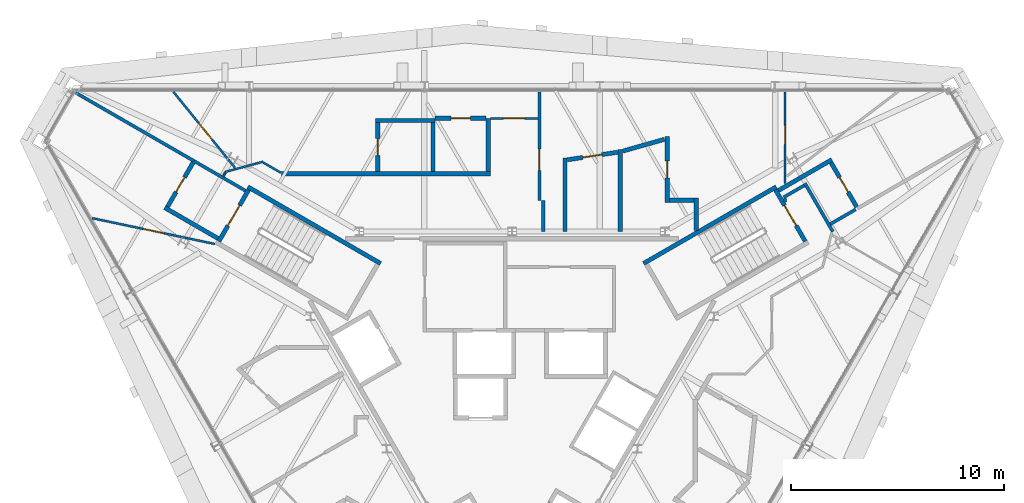
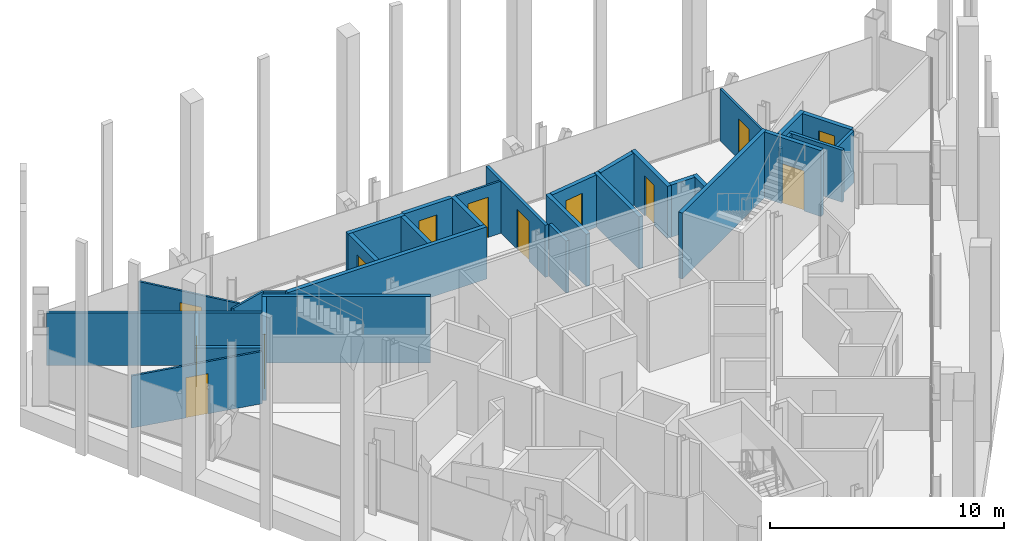
# One storey, part 10 of 13: 36 walls, 13 doors, 13 openings.
"""IFC4 building model written with IfcOpenShell, lengths in metres."""

from ifc_helpers import new_model, si_unit, direction, frame, frame_2d, origin, place, context, subcontext, project, spatial, rectangle, extrude, material, layer, layer_set, type_object, element, fill, save


model = new_model("IFC4")

# Units and contexts
model_context = context("Model", 3, precision=1e-05, world=origin(), true_north=direction((0.0, 1.0)))
body_context = subcontext(model_context, "Body", "Model", "MODEL_VIEW")
ifc_project = project(units=[si_unit("LENGTHUNIT", "METRE"), si_unit("AREAUNIT", "SQUARE_METRE"), si_unit("VOLUMEUNIT", "CUBIC_METRE"), si_unit("PLANEANGLEUNIT", "RADIAN"), si_unit("MASSUNIT", "GRAM", prefix="KILO")], contexts=[model_context])

# Site, building, storey
site_placement = place(None, origin())
site = spatial("IfcSite", under=ifc_project, at=site_placement, CompositionType="ELEMENT")
building_placement = place(site_placement, origin())
building = spatial("IfcBuilding", under=site, at=building_placement, Name="Verrane Prism Tower", CompositionType="ELEMENT")
storey_placement = place(building_placement, frame((0.0, 0.0, 286.199951171875)))
storey = spatial("IfcBuildingStorey", under=building, at=storey_placement, Name="L72", CompositionType="ELEMENT", Elevation=286.199951171875)

# Wall, opening, door
ifc_material_1 = material(Name="Concrete C40/50", Category="concrete")
ifc_layer_1 = layer(ifc_material_1, 0.199951171875)
ifc_layer_set_1 = layer_set([ifc_layer_1], Name="CW-200 stair core wall concrete C40/50 3 h")
wall_type_1 = type_object("IfcWallType", Name="CW-200 stair core wall concrete C40/50 3 h", PredefinedType="PARTITIONING", material=ifc_layer_set_1)
wall_1_placement = place(storey_placement, frame((13.777099609375, 6.337646484375, 0.0), z_axis=(0.0, 0.0, 1.0), x_axis=(-0.500049511043, 0.865996816683, 0.0)))
wall_1 = element("IfcWall", 1, at=wall_1_placement, inside=storey, type_object=wall_type_1, Name="Stair 1 enclosure wall", PredefinedType="PARTITIONING", context=body_context, shape_type="SweptSolid", body=[
    extrude(rectangle(XDim=2.800048828125, YDim=0.199951171875, at=frame_2d((1.39990234375, 0.0))), origin(), (0.0, 0.0, 1.0), 3.449951171875),
])
opening_1_placement = place(wall_1_placement, frame((0.849853515625, 0.0, 0.0)))
opening_1 = element("IfcOpeningElement", 2, at=opening_1_placement, cuts=wall_1, Name="Opening D72500", PredefinedType="OPENING", context=body_context, shape_type="SweptSolid", body=[
    extrude(rectangle(XDim=1.10009765625, YDim=2.10009765625, at=frame_2d((0.550048828125, 1.050048828125))), frame((0.0, 0.10986328125, 0.0), z_axis=(0.0, -1.0, 0.0), x_axis=(1.0, 0.0, 0.0)), (0.0, 0.0, 1.0), 0.219970703125),
])
ifc_material_2 = material(Name="Timber veneered door leaf", Category="wood")
door_type_1 = type_object("IfcDoorType", Name="DR-1100x2100 FD90 single leaf stair", OperationType="NOTDEFINED", PredefinedType="DOOR", material=ifc_material_2)
door_1_placement = place(opening_1_placement, origin())
door_1 = element("IfcDoor", 3, at=door_1_placement, inside=storey, type_object=door_type_1, Name="Stair 1 door", OperationType="SINGLE_SWING_LEFT", OverallHeight=2.10009765625, OverallWidth=1.10009765625, PredefinedType="DOOR", context=body_context, shape_type="SweptSolid", body=[
    extrude(rectangle(XDim=1.10009765625, YDim=2.10009765625, at=frame_2d((0.550048828125, 1.050048828125))), frame((0.0, 0.02490234375, 0.0), z_axis=(0.0, -1.0, 0.0), x_axis=(1.0, 0.0, 0.0)), (0.0, 0.0, 1.0), 0.050048828125),
])
fill(opening_1, door_1)

# Wall
wall_2_placement = place(storey_placement, frame((6.17822265625, 5.299072265625, 0.0), z_axis=(0.0, 0.0, 1.0), x_axis=(0.866033125095, 0.499986626058, 0.0)))
element("IfcWall", 4, at=wall_2_placement, inside=storey, type_object=wall_type_1, Name="Stair 1 enclosure wall", PredefinedType="PARTITIONING", context=body_context, shape_type="SweptSolid", body=[
    extrude(rectangle(XDim=7.199951171875, YDim=0.199951171875, at=frame_2d((3.60009765625, 0.0))), origin(), (0.0, 0.0, 1.0), 3.449951171875),
])

# Wall, opening, door
wall_3_placement = place(storey_placement, frame((-12.376953125, 8.762451171875, 0.0), z_axis=(0.0, 0.0, 1.0), x_axis=(-0.500049511043, -0.865996816683, 0.0)))
wall_3 = element("IfcWall", 5, at=wall_3_placement, inside=storey, type_object=wall_type_1, Name="Stair 2 enclosure wall", PredefinedType="PARTITIONING", context=body_context, shape_type="SweptSolid", body=[
    extrude(rectangle(XDim=2.800048828125, YDim=0.199951171875, at=frame_2d((1.39990234375, 0.0))), origin(), (0.0, 0.0, 1.0), 3.449951171875),
])
opening_2_placement = place(wall_3_placement, frame((0.849853515625, 0.0, 0.0)))
opening_2 = element("IfcOpeningElement", 6, at=opening_2_placement, cuts=wall_3, Name="Opening D72501", PredefinedType="OPENING", context=body_context, shape_type="SweptSolid", body=[
    extrude(rectangle(XDim=1.10009765625, YDim=2.10009765625, at=frame_2d((0.550048828125, 1.050048828125))), frame((0.0, 0.10986328125, 0.0), z_axis=(0.0, -1.0, 0.0), x_axis=(1.0, 0.0, 0.0)), (0.0, 0.0, 1.0), 0.219970703125),
])
door_2_placement = place(opening_2_placement, origin())
door_2 = element("IfcDoor", 7, at=door_2_placement, inside=storey, type_object=door_type_1, Name="Stair 2 door", OperationType="SINGLE_SWING_RIGHT", OverallHeight=2.10009765625, OverallWidth=1.10009765625, PredefinedType="DOOR", context=body_context, shape_type="SweptSolid", body=[
    extrude(rectangle(XDim=1.10009765625, YDim=2.10009765625, at=frame_2d((0.550048828125, 1.050048828125))), frame((0.0, 0.02490234375, 0.0), z_axis=(0.0, -1.0, 0.0), x_axis=(1.0, 0.0, 0.0)), (0.0, 0.0, 1.0), 0.050048828125),
])
fill(opening_2, door_2)

# Wall
wall_4_placement = place(storey_placement, frame((-6.17822265625, 5.299072265625, 0.0), z_axis=(0.0, 0.0, 1.0), x_axis=(-0.866033125095, 0.499986626058, 0.0)))
element("IfcWall", 8, at=wall_4_placement, inside=storey, type_object=wall_type_1, Name="Stair 2 enclosure wall", PredefinedType="PARTITIONING", context=body_context, shape_type="SweptSolid", body=[
    extrude(rectangle(XDim=7.199951171875, YDim=0.199951171875, at=frame_2d((3.60009765625, 0.0))), origin(), (0.0, 0.0, 1.0), 3.449951171875),
])

# Wall, opening, door
ifc_material_3 = material(Name="Gypsum board partition", Category="other")
ifc_layer_2 = layer(ifc_material_3, 0.10009765625)
ifc_layer_set_2 = layer_set([ifc_layer_2], Name="PW-100 room partition")
wall_type_2 = type_object("IfcWallType", Name="PW-100 room partition", PredefinedType="PARTITIONING", material=ifc_layer_set_2)
wall_5_placement = place(storey_placement, frame((-19.728759765625, 7.428466796875, 0.0), z_axis=(0.0, 0.0, 1.0), x_axis=(0.97852427483, -0.206131617102, 0.0)))
wall_5 = element("IfcWall", 9, at=wall_5_placement, inside=storey, type_object=wall_type_2, Name="Room partition 002", PredefinedType="PARTITIONING", context=body_context, shape_type="SweptSolid", body=[
    extrude(rectangle(XDim=5.89111328125, YDim=0.10009765625, at=frame_2d((2.945556640625, 0.0))), origin(), (0.0, 0.0, 1.0), 2.72314453125),
])
opening_3_placement = place(wall_5_placement, frame((2.44970703125, 0.0, 0.0)))
opening_3 = element("IfcOpeningElement", 10, at=opening_3_placement, cuts=wall_5, Name="Opening D72021", PredefinedType="OPENING", context=body_context, shape_type="SweptSolid", body=[
    extrude(rectangle(XDim=1.0, YDim=2.10009765625, at=frame_2d((0.5, 1.050048828125))), frame((0.0, 0.06005859375, 0.0), z_axis=(0.0, -1.0, 0.0), x_axis=(1.0, 0.0, 0.0)), (0.0, 0.0, 1.0), 0.1201171875),
])
ifc_material_4 = material(Name="Timber veneered door leaf", Category="wood")
door_type_2 = type_object("IfcDoorType", Name="DR-1000x2100 single leaf inner", OperationType="NOTDEFINED", PredefinedType="DOOR", material=ifc_material_4)
door_3_placement = place(opening_3_placement, origin())
door_3 = element("IfcDoor", 11, at=door_3_placement, inside=storey, type_object=door_type_2, Name="Living And Dining Room door", OperationType="SINGLE_SWING_LEFT", OverallHeight=2.10009765625, OverallWidth=1.0, PredefinedType="DOOR", context=body_context, shape_type="SweptSolid", body=[
    extrude(rectangle(XDim=1.0, YDim=2.10009765625, at=frame_2d((0.5, 1.050048828125))), frame((0.0, 0.02490234375, 0.0), z_axis=(0.0, -1.0, 0.0), x_axis=(1.0, 0.0, 0.0)), (0.0, 0.0, 1.0), 0.050048828125),
])
fill(opening_3, door_3)

wall_6_placement = place(storey_placement, frame((-13.021484375, 9.796875, 0.0), z_axis=(0.0, 0.0, 1.0), x_axis=(-0.629738754572, 0.776806990822, 0.0)))
wall_6 = element("IfcWall", 12, at=wall_6_placement, inside=storey, type_object=wall_type_2, Name="Room partition 005", PredefinedType="PARTITIONING", context=body_context, shape_type="SweptSolid", body=[
    extrude(rectangle(XDim=4.598388671875, YDim=0.10009765625, at=frame_2d((2.29931640625, 0.0))), origin(), (0.0, 0.0, 1.0), 2.72314453125),
])
opening_4_placement = place(wall_6_placement, frame((1.705810546875, 0.0, 0.0)))
opening_4 = element("IfcOpeningElement", 13, at=opening_4_placement, cuts=wall_6, Name="Opening D72017", PredefinedType="OPENING", context=body_context, shape_type="SweptSolid", body=[
    extrude(rectangle(XDim=1.0, YDim=2.10009765625, at=frame_2d((0.5, 1.050048828125))), frame((0.0, 0.06005859375, 0.0), z_axis=(0.0, -1.0, 0.0), x_axis=(1.0, 0.0, 0.0)), (0.0, 0.0, 1.0), 0.1201171875),
])
door_4_placement = place(opening_4_placement, origin())
door_4 = element("IfcDoor", 14, at=door_4_placement, inside=storey, type_object=door_type_2, Name="Living And Dining Room door", OperationType="SINGLE_SWING_RIGHT", OverallHeight=2.10009765625, OverallWidth=1.0, PredefinedType="DOOR", context=body_context, shape_type="SweptSolid", body=[
    extrude(rectangle(XDim=1.0, YDim=2.10009765625, at=frame_2d((0.5, 1.050048828125))), frame((0.0, 0.02490234375, 0.0), z_axis=(0.0, -1.0, 0.0), x_axis=(1.0, 0.0, 0.0)), (0.0, 0.0, 1.0), 0.050048828125),
])
fill(opening_4, door_4)

# Walls
wall_7_placement = place(storey_placement, frame((-13.5654296875, 9.404052734375, 0.0), z_axis=(0.0, 0.0, 1.0), x_axis=(0.500181256421, 0.865920730047, 0.0)))
element("IfcWall", 15, at=wall_7_placement, inside=storey, type_object=wall_type_2, Name="Room partition 007", PredefinedType="PARTITIONING", context=body_context, shape_type="SweptSolid", body=[
    extrude(rectangle(XDim=0.1689453125, YDim=0.10009765625, at=frame_2d((0.08447265625, 0.0))), origin(), (0.0, 0.0, 1.0), 2.72314453125),
])
wall_8_placement = place(storey_placement, frame((-13.494384765625, 9.59814453125, 0.0), z_axis=(0.0, 0.0, 1.0), x_axis=(0.96601104623, 0.258500790254, 0.0)))
element("IfcWall", 16, at=wall_8_placement, inside=storey, type_object=wall_type_2, Name="Room partition 008", PredefinedType="PARTITIONING", context=body_context, shape_type="SweptSolid", body=[
    extrude(rectangle(XDim=1.8671875, YDim=0.10009765625, at=frame_2d((0.93359375, 0.0))), origin(), (0.0, 0.0, 1.0), 2.72314453125),
])
wall_9_placement = place(storey_placement, frame((-11.678466796875, 10.032958984375, 0.0), z_axis=(0.0, 0.0, 1.0), x_axis=(0.866116627388, -0.499841962787, 0.0)))
element("IfcWall", 17, at=wall_9_placement, inside=storey, type_object=wall_type_2, Name="Room partition 012", PredefinedType="PARTITIONING", context=body_context, shape_type="SweptSolid", body=[
    extrude(rectangle(XDim=0.943115234375, YDim=0.10009765625, at=frame_2d((0.4716796875, 0.0))), origin(), (0.0, 0.0, 1.0), 2.72314453125),
])

# Wall, opening, door
wall_10_placement = place(storey_placement, frame((-1.013916015625, 12.118896484375, 0.0), z_axis=(0.0, 0.0, 1.0), x_axis=(1.0, 0.0, 0.0)))
wall_10 = element("IfcWall", 18, at=wall_10_placement, inside=storey, type_object=wall_type_2, Name="Room partition 040", PredefinedType="PARTITIONING", context=body_context, shape_type="SweptSolid", body=[
    extrude(rectangle(XDim=2.224853515625, YDim=0.10009765625, at=frame_2d((1.1123046875, 0.0))), origin(), (0.0, 0.0, 1.0), 2.72314453125),
])
opening_5_placement = place(wall_10_placement, frame((0.60498046875, 0.0, 0.0)))
opening_5 = element("IfcOpeningElement", 19, at=opening_5_placement, cuts=wall_10, Name="Opening D72015", PredefinedType="OPENING", context=body_context, shape_type="SweptSolid", body=[
    extrude(rectangle(XDim=1.0, YDim=2.10009765625, at=frame_2d((0.5, 1.050048828125))), frame((0.0, 0.06005859375, 0.0), z_axis=(0.0, -1.0, 0.0), x_axis=(1.0, 0.0, 0.0)), (0.0, 0.0, 1.0), 0.1201171875),
])
door_5_placement = place(opening_5_placement, origin())
door_5 = element("IfcDoor", 20, at=door_5_placement, inside=storey, type_object=door_type_2, Name="Entrance Foyer door", OperationType="SINGLE_SWING_LEFT", OverallHeight=2.10009765625, OverallWidth=1.0, PredefinedType="DOOR", context=body_context, shape_type="SweptSolid", body=[
    extrude(rectangle(XDim=1.0, YDim=2.10009765625, at=frame_2d((0.5, 1.050048828125))), frame((0.0, 0.02490234375, 0.0), z_axis=(0.0, -1.0, 0.0), x_axis=(1.0, 0.0, 0.0)), (0.0, 0.0, 1.0), 0.050048828125),
])
fill(opening_5, door_5)

wall_11_placement = place(storey_placement, frame((12.8310546875, 13.35107421875, 0.0), z_axis=(0.0, 0.0, 1.0), x_axis=(0.0, -1.0, 0.0)))
wall_11 = element("IfcWall", 21, at=wall_11_placement, inside=storey, type_object=wall_type_2, Name="Room partition 075", PredefinedType="PARTITIONING", context=body_context, shape_type="SweptSolid", body=[
    extrude(rectangle(XDim=4.297607421875, YDim=0.10009765625, at=frame_2d((2.14892578125, 0.0))), origin(), (0.0, 0.0, 1.0), 2.72314453125),
])
opening_6_placement = place(wall_11_placement, frame((1.56005859375, 0.0, 0.0)))
opening_6 = element("IfcOpeningElement", 22, at=opening_6_placement, cuts=wall_11, Name="Opening D72009", PredefinedType="OPENING", context=body_context, shape_type="SweptSolid", body=[
    extrude(rectangle(XDim=0.89990234375, YDim=2.10009765625, at=frame_2d((0.449951171875, 1.050048828125))), frame((0.0, 0.06005859375, 0.0), z_axis=(0.0, -1.0, 0.0), x_axis=(1.0, 0.0, 0.0)), (0.0, 0.0, 1.0), 0.1201171875),
])
ifc_material_5 = material(Name="Timber veneered door leaf", Category="wood")
door_type_3 = type_object("IfcDoorType", Name="DR-900x2100 single leaf inner", OperationType="NOTDEFINED", PredefinedType="DOOR", material=ifc_material_5)
door_6_placement = place(opening_6_placement, origin())
door_6 = element("IfcDoor", 23, at=door_6_placement, inside=storey, type_object=door_type_3, Name="Living And Dining Room door", OperationType="SINGLE_SWING_RIGHT", OverallHeight=2.10009765625, OverallWidth=0.89990234375, PredefinedType="DOOR", context=body_context, shape_type="SweptSolid", body=[
    extrude(rectangle(XDim=0.89990234375, YDim=2.10009765625, at=frame_2d((0.449951171875, 1.050048828125))), frame((0.0, 0.02490234375, 0.0), z_axis=(0.0, -1.0, 0.0), x_axis=(1.0, 0.0, 0.0)), (0.0, 0.0, 1.0), 0.050048828125),
])
fill(opening_6, door_6)

# Walls
ifc_material_6 = material(Name="Gypsum board partition", Category="other")
ifc_layer_3 = layer(ifc_material_6, 0.14990234375)
ifc_layer_set_3 = layer_set([ifc_layer_3], Name="PW-150 demising wall 1 h")
wall_type_3 = type_object("IfcWallType", Name="PW-150 demising wall 1 h", PredefinedType="PARTITIONING", material=ifc_layer_set_3)
wall_12_placement = place(storey_placement, frame((-20.505859375, 13.323974609375, 0.0), z_axis=(0.0, 0.0, 1.0), x_axis=(0.866004971522, -0.500035388047, 0.0)))
element("IfcWall", 24, at=wall_12_placement, inside=storey, type_object=wall_type_3, Name="Demising wall 001", PredefinedType="PARTITIONING", context=body_context, shape_type="SweptSolid", body=[
    extrude(rectangle(XDim=6.41552734375, YDim=0.14990234375, at=frame_2d((3.207763671875, 0.0))), origin(), (0.0, 0.0, 1.0), 2.72314453125),
])
wall_13_placement = place(storey_placement, frame((-14.945068359375, 10.114013671875, 0.0), z_axis=(0.0, 0.0, 1.0), x_axis=(0.865969158485, -0.500097407065, 0.0)))
element("IfcWall", 25, at=wall_13_placement, inside=storey, type_object=wall_type_3, Name="Demising wall 006", PredefinedType="PARTITIONING", context=body_context, shape_type="SweptSolid", body=[
    extrude(rectangle(XDim=2.79931640625, YDim=0.14990234375, at=frame_2d((1.399658203125, 0.0))), origin(), (0.0, 0.0, 1.0), 2.72314453125),
])

# Wall, opening, door
wall_14_placement = place(storey_placement, frame((1.285888671875, 13.35107421875, 0.0), z_axis=(0.0, 0.0, 1.0), x_axis=(0.0, -1.0, 0.0)))
wall_14 = element("IfcWall", 26, at=wall_14_placement, inside=storey, type_object=wall_type_3, Name="Demising wall 042", PredefinedType="PARTITIONING", context=body_context, shape_type="SweptSolid", body=[
    extrude(rectangle(XDim=5.08203125, YDim=0.14990234375, at=frame_2d((2.541015625, 0.0))), origin(), (0.0, 0.0, 1.0), 2.72314453125),
])
opening_7_placement = place(wall_14_placement, frame((2.681884765625, 0.0, 0.0)))
opening_7 = element("IfcOpeningElement", 27, at=opening_7_placement, cuts=wall_14, Name="Opening D72011", PredefinedType="OPENING", context=body_context, shape_type="SweptSolid", body=[
    extrude(rectangle(XDim=1.0, YDim=2.10009765625, at=frame_2d((0.5, 1.050048828125))), frame((0.0, 0.0849609375, 0.0), z_axis=(0.0, -1.0, 0.0), x_axis=(1.0, 0.0, 0.0)), (0.0, 0.0, 1.0), 0.169921875),
])
ifc_material_7 = material(Name="Timber veneered door leaf", Category="wood")
door_type_4 = type_object("IfcDoorType", Name="DR-1000x2100 FD20 single leaf inner", OperationType="NOTDEFINED", PredefinedType="DOOR", material=ifc_material_7)
door_7_placement = place(opening_7_placement, origin())
door_7 = element("IfcDoor", 28, at=door_7_placement, inside=storey, type_object=door_type_4, Name="Entrance Foyer door", OperationType="SINGLE_SWING_RIGHT", OverallHeight=2.10009765625, OverallWidth=1.0, PredefinedType="DOOR", context=body_context, shape_type="SweptSolid", body=[
    extrude(rectangle(XDim=1.0, YDim=2.10009765625, at=frame_2d((0.5, 1.050048828125))), frame((0.0, 0.02490234375, 0.0), z_axis=(0.0, -1.0, 0.0), x_axis=(1.0, 0.0, 0.0)), (0.0, 0.0, 1.0), 0.050048828125),
])
fill(opening_7, door_7)

# Walls
wall_15_placement = place(storey_placement, frame((1.468994140625, 6.800048828125, 0.0), z_axis=(0.0, 0.0, 1.0), x_axis=(0.0, 1.0, 0.0)))
element("IfcWall", 29, at=wall_15_placement, inside=storey, type_object=wall_type_3, Name="Demising wall 044", PredefinedType="PARTITIONING", context=body_context, shape_type="SweptSolid", body=[
    extrude(rectangle(XDim=1.468994140625, YDim=0.14990234375, at=frame_2d((0.734375, 0.0))), origin(), (0.0, 0.0, 1.0), 2.72314453125),
])
wall_16_placement = place(storey_placement, frame((12.8310546875, 8.177001953125, 0.0), z_axis=(0.0, 0.0, 1.0), x_axis=(0.0, 1.0, 0.0)))
element("IfcWall", 30, at=wall_16_placement, inside=storey, type_object=wall_type_3, Name="Demising wall 073", PredefinedType="PARTITIONING", context=body_context, shape_type="SweptSolid", body=[
    extrude(rectangle(XDim=0.169921875, YDim=0.14990234375, at=frame_2d((0.0849609375, 0.0))), origin(), (0.0, 0.0, 1.0), 2.72314453125),
])
wall_17_placement = place(storey_placement, frame((12.76611328125, 8.409423828125, 0.0), z_axis=(0.0, 0.0, 1.0), x_axis=(0.865995823051, 0.500051231833, 0.0)))
element("IfcWall", 31, at=wall_17_placement, inside=storey, type_object=wall_type_3, Name="Demising wall 074", PredefinedType="PARTITIONING", context=body_context, shape_type="SweptSolid", body=[
    extrude(rectangle(XDim=1.1142578125, YDim=0.14990234375, at=frame_2d((0.55712890625, 0.0))), origin(), (0.0, 0.0, 1.0), 2.72314453125),
])
wall_18_placement = place(storey_placement, frame((13.758544921875, 9.06884765625, 0.0), z_axis=(0.0, 0.0, 1.0), x_axis=(0.500020344131, -0.866013657776, 0.0)))
element("IfcWall", 32, at=wall_18_placement, inside=storey, type_object=wall_type_3, Name="Demising wall 077", PredefinedType="PARTITIONING", context=body_context, shape_type="SweptSolid", body=[
    extrude(rectangle(XDim=2.625, YDim=0.14990234375, at=frame_2d((1.3125, 0.0))), origin(), (0.0, 0.0, 1.0), 2.72314453125),
])
wall_19_placement = place(storey_placement, frame((14.953857421875, 7.1494140625, 0.0), z_axis=(0.0, 0.0, 1.0), x_axis=(0.865960792519, 0.5001118933, 0.0)))
element("IfcWall", 33, at=wall_19_placement, inside=storey, type_object=wall_type_3, Name="Demising wall 079", PredefinedType="PARTITIONING", context=body_context, shape_type="SweptSolid", body=[
    extrude(rectangle(XDim=1.374755859375, YDim=0.14990234375, at=frame_2d((0.6875, 0.0))), origin(), (0.0, 0.0, 1.0), 2.72314453125),
])

# Wall, opening, door
ifc_material_8 = material(Name="Gypsum board partition", Category="other")
ifc_layer_4 = layer(ifc_material_8, 0.199951171875)
ifc_layer_set_4 = layer_set([ifc_layer_4], Name="PW-200 plumbing wall")
wall_type_4 = type_object("IfcWallType", Name="PW-200 plumbing wall", PredefinedType="PARTITIONING", material=ifc_layer_set_4)
wall_20_placement = place(storey_placement, frame((-14.985107421875, 10.044677734375, 0.0), z_axis=(0.0, 0.0, 1.0), x_axis=(-0.499903970786, -0.866080839178, 0.0)))
wall_20 = element("IfcWall", 34, at=wall_20_placement, inside=storey, type_object=wall_type_4, Name="Plumbing wall 003", PredefinedType="PARTITIONING", context=body_context, shape_type="SweptSolid", body=[
    extrude(rectangle(XDim=2.40625, YDim=0.199951171875, at=frame_2d((1.203125, 0.0))), origin(), (0.0, 0.0, 1.0), 2.72314453125),
])
opening_8_placement = place(wall_20_placement, frame((0.806396484375, 0.0, 0.0)))
opening_8 = element("IfcOpeningElement", 35, at=opening_8_placement, cuts=wall_20, Name="Opening D72022", PredefinedType="OPENING", context=body_context, shape_type="SweptSolid", body=[
    extrude(rectangle(XDim=0.800048828125, YDim=2.10009765625, at=frame_2d((0.39990234375, 1.050048828125))), frame((0.0, 0.10986328125, 0.0), z_axis=(0.0, -1.0, 0.0), x_axis=(1.0, 0.0, 0.0)), (0.0, 0.0, 1.0), 0.219970703125),
])
ifc_material_9 = material(Name="Timber veneered door leaf", Category="wood")
door_type_5 = type_object("IfcDoorType", Name="DR-800x2100 single leaf bath", OperationType="NOTDEFINED", PredefinedType="DOOR", material=ifc_material_9)
door_8_placement = place(opening_8_placement, origin())
door_8 = element("IfcDoor", 36, at=door_8_placement, inside=storey, type_object=door_type_5, Name="Master Bathroom door", OperationType="SINGLE_SWING_LEFT", OverallHeight=2.10009765625, OverallWidth=0.800048828125, PredefinedType="DOOR", context=body_context, shape_type="SweptSolid", body=[
    extrude(rectangle(XDim=0.800048828125, YDim=2.10009765625, at=frame_2d((0.39990234375, 1.050048828125))), frame((0.0, 0.02490234375, 0.0), z_axis=(0.0, -1.0, 0.0), x_axis=(1.0, 0.0, 0.0)), (0.0, 0.0, 1.0), 0.050048828125),
])
fill(opening_8, door_8)

# Walls
wall_21_placement = place(storey_placement, frame((-16.32470703125, 7.924072265625, 0.0), z_axis=(0.0, 0.0, 1.0), x_axis=(0.865969617579, -0.500096612097, 0.0)))
element("IfcWall", 37, at=wall_21_placement, inside=storey, type_object=wall_type_4, Name="Plumbing wall 004", PredefinedType="PARTITIONING", context=body_context, shape_type="SweptSolid", body=[
    extrude(rectangle(XDim=2.8994140625, YDim=0.199951171875, at=frame_2d((1.44970703125, 0.0))), origin(), (0.0, 0.0, 1.0), 2.72314453125),
])
wall_22_placement = place(storey_placement, frame((-10.837890625, 9.51904296875, 0.0), z_axis=(0.0, 0.0, 1.0), x_axis=(1.0, 0.0, 0.0)))
element("IfcWall", 38, at=wall_22_placement, inside=storey, type_object=wall_type_4, Name="Plumbing wall 016", PredefinedType="PARTITIONING", context=body_context, shape_type="SweptSolid", body=[
    extrude(rectangle(XDim=9.823974609375, YDim=0.199951171875, at=frame_2d((4.912109375, 0.0))), origin(), (0.0, 0.0, 1.0), 2.72314453125),
])

# Wall, opening, door
wall_23_placement = place(storey_placement, frame((-6.31396484375, 11.9189453125, 0.0), z_axis=(0.0, 0.0, 1.0), x_axis=(0.0, -1.0, 0.0)))
wall_23 = element("IfcWall", 39, at=wall_23_placement, inside=storey, type_object=wall_type_4, Name="Plumbing wall 025", PredefinedType="PARTITIONING", context=body_context, shape_type="SweptSolid", body=[
    extrude(rectangle(XDim=2.300048828125, YDim=0.199951171875, at=frame_2d((1.14990234375, 0.0))), origin(), (0.0, 0.0, 1.0), 2.72314453125),
])
opening_9_placement = place(wall_23_placement, frame((0.75, 0.0, 0.0)))
opening_9 = element("IfcOpeningElement", 40, at=opening_9_placement, cuts=wall_23, Name="Opening D72018", PredefinedType="OPENING", context=body_context, shape_type="SweptSolid", body=[
    extrude(rectangle(XDim=0.800048828125, YDim=2.10009765625, at=frame_2d((0.39990234375, 1.050048828125))), frame((0.0, 0.10986328125, 0.0), z_axis=(0.0, -1.0, 0.0), x_axis=(1.0, 0.0, 0.0)), (0.0, 0.0, 1.0), 0.219970703125),
])
ifc_material_10 = material(Name="Timber veneered door leaf", Category="wood")
door_type_6 = type_object("IfcDoorType", Name="DR-800x2100 single leaf inner", OperationType="NOTDEFINED", PredefinedType="DOOR", material=ifc_material_10)
door_9_placement = place(opening_9_placement, origin())
door_9 = element("IfcDoor", 41, at=door_9_placement, inside=storey, type_object=door_type_6, Name="Bathroom door", OperationType="SINGLE_SWING_LEFT", OverallHeight=2.10009765625, OverallWidth=0.800048828125, PredefinedType="DOOR", context=body_context, shape_type="SweptSolid", body=[
    extrude(rectangle(XDim=0.800048828125, YDim=2.10009765625, at=frame_2d((0.39990234375, 1.050048828125))), frame((0.0, 0.02490234375, 0.0), z_axis=(0.0, -1.0, 0.0), x_axis=(1.0, 0.0, 0.0)), (0.0, 0.0, 1.0), 0.050048828125),
])
fill(opening_9, door_9)

# Walls
wall_24_placement = place(storey_placement, frame((-6.4140625, 12.01904296875, 0.0), z_axis=(0.0, 0.0, 1.0), x_axis=(1.0, 0.0, 0.0)))
element("IfcWall", 42, at=wall_24_placement, inside=storey, type_object=wall_type_4, Name="Plumbing wall 026", PredefinedType="PARTITIONING", context=body_context, shape_type="SweptSolid", body=[
    extrude(rectangle(XDim=2.800048828125, YDim=0.199951171875, at=frame_2d((1.39990234375, 0.0))), origin(), (0.0, 0.0, 1.0), 2.72314453125),
])
wall_25_placement = place(storey_placement, frame((-3.714111328125, 9.618896484375, 0.0), z_axis=(0.0, 0.0, 1.0), x_axis=(0.0, 1.0, 0.0)))
element("IfcWall", 43, at=wall_25_placement, inside=storey, type_object=wall_type_4, Name="Plumbing wall 031", PredefinedType="PARTITIONING", context=body_context, shape_type="SweptSolid", body=[
    extrude(rectangle(XDim=2.300048828125, YDim=0.199951171875, at=frame_2d((1.14990234375, 0.0))), origin(), (0.0, 0.0, 1.0), 2.72314453125),
])

# Wall, opening, door
wall_26_placement = place(storey_placement, frame((-1.214111328125, 12.118896484375, 0.0), z_axis=(0.0, 0.0, 1.0), x_axis=(-1.0, 0.0, 0.0)))
wall_26 = element("IfcWall", 44, at=wall_26_placement, inside=storey, type_object=wall_type_4, Name="Plumbing wall 032", PredefinedType="PARTITIONING", context=body_context, shape_type="SweptSolid", body=[
    extrude(rectangle(XDim=2.39990234375, YDim=0.199951171875, at=frame_2d((1.199951171875, 0.0))), origin(), (0.0, 0.0, 1.0), 2.72314453125),
])
opening_10_placement = place(wall_26_placement, frame((0.75, 0.0, 0.0)))
opening_10 = element("IfcOpeningElement", 45, at=opening_10_placement, cuts=wall_26, Name="Opening D72016", PredefinedType="OPENING", context=body_context, shape_type="SweptSolid", body=[
    extrude(rectangle(XDim=0.89990234375, YDim=2.10009765625, at=frame_2d((0.449951171875, 1.050048828125))), frame((0.0, 0.10986328125, 0.0), z_axis=(0.0, -1.0, 0.0), x_axis=(1.0, 0.0, 0.0)), (0.0, 0.0, 1.0), 0.219970703125),
])
door_10_placement = place(opening_10_placement, origin())
door_10 = element("IfcDoor", 46, at=door_10_placement, inside=storey, type_object=door_type_3, Name="Kitchen door", OperationType="SINGLE_SWING_LEFT", OverallHeight=2.10009765625, OverallWidth=0.89990234375, PredefinedType="DOOR", context=body_context, shape_type="SweptSolid", body=[
    extrude(rectangle(XDim=0.89990234375, YDim=2.10009765625, at=frame_2d((0.449951171875, 1.050048828125))), frame((0.0, 0.02490234375, 0.0), z_axis=(0.0, -1.0, 0.0), x_axis=(1.0, 0.0, 0.0)), (0.0, 0.0, 1.0), 0.050048828125),
])
fill(opening_10, door_10)

# Walls
wall_27_placement = place(storey_placement, frame((-1.114013671875, 9.618896484375, 0.0), z_axis=(0.0, 0.0, 1.0), x_axis=(0.0, 1.0, 0.0)))
element("IfcWall", 47, at=wall_27_placement, inside=storey, type_object=wall_type_4, Name="Plumbing wall 039", PredefinedType="PARTITIONING", context=body_context, shape_type="SweptSolid", body=[
    extrude(rectangle(XDim=2.5, YDim=0.199951171875, at=frame_2d((1.25, 0.0))), origin(), (0.0, 0.0, 1.0), 2.72314453125),
])
wall_28_placement = place(storey_placement, frame((2.486083984375, 6.800048828125, 0.0), z_axis=(0.0, 0.0, 1.0), x_axis=(0.0, 1.0, 0.0)))
element("IfcWall", 48, at=wall_28_placement, inside=storey, type_object=wall_type_4, Name="Plumbing wall 047", PredefinedType="PARTITIONING", context=body_context, shape_type="SweptSolid", body=[
    extrude(rectangle(XDim=3.452880859375, YDim=0.199951171875, at=frame_2d((1.7265625, 0.0))), origin(), (0.0, 0.0, 1.0), 2.72314453125),
])

# Wall, opening, door
wall_29_placement = place(storey_placement, frame((4.97216796875, 10.52783203125, 0.0), z_axis=(0.0, 0.0, 1.0), x_axis=(-0.988827119235, -0.149066858374, 0.0)))
wall_29 = element("IfcWall", 49, at=wall_29_placement, inside=storey, type_object=wall_type_4, Name="Plumbing wall 048", PredefinedType="PARTITIONING", context=body_context, shape_type="SweptSolid", body=[
    extrude(rectangle(XDim=2.3994140625, YDim=0.199951171875, at=frame_2d((1.19970703125, 0.0))), origin(), (0.0, 0.0, 1.0), 2.72314453125),
])
opening_11_placement = place(wall_29_placement, frame((0.764404296875, 0.0, 0.0)))
opening_11 = element("IfcOpeningElement", 50, at=opening_11_placement, cuts=wall_29, Name="Opening D72012", PredefinedType="OPENING", context=body_context, shape_type="SweptSolid", body=[
    extrude(rectangle(XDim=0.89990234375, YDim=2.10009765625, at=frame_2d((0.449951171875, 1.050048828125))), frame((0.0, 0.10986328125, 0.0), z_axis=(0.0, -1.0, 0.0), x_axis=(1.0, 0.0, 0.0)), (0.0, 0.0, 1.0), 0.219970703125),
])
door_11_placement = place(opening_11_placement, origin())
door_11 = element("IfcDoor", 51, at=door_11_placement, inside=storey, type_object=door_type_3, Name="Kitchen door", OperationType="SINGLE_SWING_LEFT", OverallHeight=2.10009765625, OverallWidth=0.89990234375, PredefinedType="DOOR", context=body_context, shape_type="SweptSolid", body=[
    extrude(rectangle(XDim=0.89990234375, YDim=2.10009765625, at=frame_2d((0.449951171875, 1.050048828125))), frame((0.0, 0.02490234375, 0.0), z_axis=(0.0, -1.0, 0.0), x_axis=(1.0, 0.0, 0.0)), (0.0, 0.0, 1.0), 0.050048828125),
])
fill(opening_11, door_11)

# Walls
wall_30_placement = place(storey_placement, frame((5.0859375, 6.800048828125, 0.0), z_axis=(0.0, 0.0, 1.0), x_axis=(0.0, 1.0, 0.0)))
element("IfcWall", 52, at=wall_30_placement, inside=storey, type_object=wall_type_4, Name="Plumbing wall 054", PredefinedType="PARTITIONING", context=body_context, shape_type="SweptSolid", body=[
    extrude(rectangle(XDim=3.844970703125, YDim=0.199951171875, at=frame_2d((1.92236328125, 0.0))), origin(), (0.0, 0.0, 1.0), 2.72314453125),
])
wall_31_placement = place(storey_placement, frame((5.206298828125, 10.5791015625, 0.0), z_axis=(0.0, 0.0, 1.0), x_axis=(0.962043687615, 0.272895480212, 0.0)))
element("IfcWall", 53, at=wall_31_placement, inside=storey, type_object=wall_type_4, Name="Plumbing wall 055", PredefinedType="PARTITIONING", context=body_context, shape_type="SweptSolid", body=[
    extrude(rectangle(XDim=2.03173828125, YDim=0.199951171875, at=frame_2d((1.015869140625, 0.0))), origin(), (0.0, 0.0, 1.0), 2.72314453125),
])

# Wall, opening, door
wall_32_placement = place(storey_placement, frame((7.285888671875, 8.1689453125, 0.0), z_axis=(0.0, 0.0, 1.0), x_axis=(0.0, 1.0, 0.0)))
wall_32 = element("IfcWall", 54, at=wall_32_placement, inside=storey, type_object=wall_type_4, Name="Plumbing wall 056", PredefinedType="PARTITIONING", context=body_context, shape_type="SweptSolid", body=[
    extrude(rectangle(XDim=3.10009765625, YDim=0.199951171875, at=frame_2d((1.550048828125, 0.0))), origin(), (0.0, 0.0, 1.0), 2.72314453125),
])
opening_12_placement = place(wall_32_placement, frame((1.14990234375, 0.0, 0.0)))
opening_12 = element("IfcOpeningElement", 55, at=opening_12_placement, cuts=wall_32, Name="Opening D72010", PredefinedType="OPENING", context=body_context, shape_type="SweptSolid", body=[
    extrude(rectangle(XDim=0.800048828125, YDim=2.10009765625, at=frame_2d((0.39990234375, 1.050048828125))), frame((0.0, 0.10986328125, 0.0), z_axis=(0.0, -1.0, 0.0), x_axis=(1.0, 0.0, 0.0)), (0.0, 0.0, 1.0), 0.219970703125),
])
door_12_placement = place(opening_12_placement, origin())
door_12 = element("IfcDoor", 56, at=door_12_placement, inside=storey, type_object=door_type_6, Name="Powder Room door", OperationType="SINGLE_SWING_RIGHT", OverallHeight=2.10009765625, OverallWidth=0.800048828125, PredefinedType="DOOR", context=body_context, shape_type="SweptSolid", body=[
    extrude(rectangle(XDim=0.800048828125, YDim=2.10009765625, at=frame_2d((0.39990234375, 1.050048828125))), frame((0.0, 0.02490234375, 0.0), z_axis=(0.0, -1.0, 0.0), x_axis=(1.0, 0.0, 0.0)), (0.0, 0.0, 1.0), 0.050048828125),
])
fill(opening_12, door_12)

# Walls
wall_33_placement = place(storey_placement, frame((7.385986328125, 8.26904296875, 0.0), z_axis=(0.0, 0.0, 1.0), x_axis=(1.0, 0.0, 0.0)))
element("IfcWall", 57, at=wall_33_placement, inside=storey, type_object=wall_type_4, Name="Plumbing wall 057", PredefinedType="PARTITIONING", context=body_context, shape_type="SweptSolid", body=[
    extrude(rectangle(XDim=1.1630859375, YDim=0.199951171875, at=frame_2d((0.58154296875, 0.0))), origin(), (0.0, 0.0, 1.0), 2.72314453125),
])
wall_34_placement = place(storey_placement, frame((8.64892578125, 6.841064453125, 0.0), z_axis=(0.0, 0.0, 1.0), x_axis=(0.0, 1.0, 0.0)))
element("IfcWall", 58, at=wall_34_placement, inside=storey, type_object=wall_type_4, Name="Plumbing wall 064", PredefinedType="PARTITIONING", context=body_context, shape_type="SweptSolid", body=[
    extrude(rectangle(XDim=1.52783203125, YDim=0.199951171875, at=frame_2d((0.763916015625, 0.0))), origin(), (0.0, 0.0, 1.0), 2.72314453125),
])
wall_35_placement = place(storey_placement, frame((12.513916015625, 8.72607421875, 0.0), z_axis=(0.0, 0.0, 1.0), x_axis=(0.865969617579, 0.500096612097, 0.0)))
element("IfcWall", 59, at=wall_35_placement, inside=storey, type_object=wall_type_4, Name="Plumbing wall 072", PredefinedType="PARTITIONING", context=body_context, shape_type="SweptSolid", body=[
    extrude(rectangle(XDim=2.8994140625, YDim=0.199951171875, at=frame_2d((1.44970703125, 0.0))), origin(), (0.0, 0.0, 1.0), 2.72314453125),
])

# Wall, opening, door
wall_36_placement = place(storey_placement, frame((16.193603515625, 7.951904296875, 0.0), z_axis=(0.0, 0.0, 1.0), x_axis=(-0.500125724882, 0.865952804321, 0.0)))
wall_36 = element("IfcWall", 60, at=wall_36_placement, inside=storey, type_object=wall_type_4, Name="Plumbing wall 080", PredefinedType="PARTITIONING", context=body_context, shape_type="SweptSolid", body=[
    extrude(rectangle(XDim=2.41064453125, YDim=0.199951171875, at=frame_2d((1.205322265625, 0.0))), origin(), (0.0, 0.0, 1.0), 2.72314453125),
])
opening_13_placement = place(wall_36_placement, frame((0.810546875, 0.0, 0.0)))
opening_13 = element("IfcOpeningElement", 61, at=opening_13_placement, cuts=wall_36, Name="Opening D72014", PredefinedType="OPENING", context=body_context, shape_type="SweptSolid", body=[
    extrude(rectangle(XDim=0.800048828125, YDim=2.10009765625, at=frame_2d((0.39990234375, 1.050048828125))), frame((0.0, 0.10986328125, 0.0), z_axis=(0.0, -1.0, 0.0), x_axis=(1.0, 0.0, 0.0)), (0.0, 0.0, 1.0), 0.219970703125),
])
door_13_placement = place(opening_13_placement, origin())
door_13 = element("IfcDoor", 62, at=door_13_placement, inside=storey, type_object=door_type_5, Name="Master Bathroom door", OperationType="SINGLE_SWING_LEFT", OverallHeight=2.10009765625, OverallWidth=0.800048828125, PredefinedType="DOOR", context=body_context, shape_type="SweptSolid", body=[
    extrude(rectangle(XDim=0.800048828125, YDim=2.10009765625, at=frame_2d((0.39990234375, 1.050048828125))), frame((0.0, 0.02490234375, 0.0), z_axis=(0.0, -1.0, 0.0), x_axis=(1.0, 0.0, 0.0)), (0.0, 0.0, 1.0), 0.050048828125),
])
fill(opening_13, door_13)

save(model, "model.ifc")
